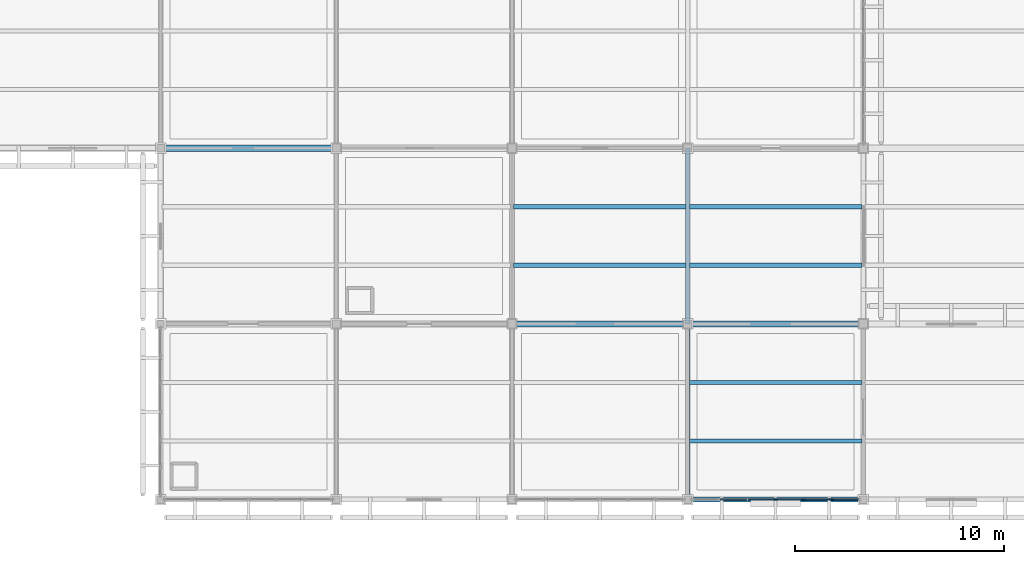
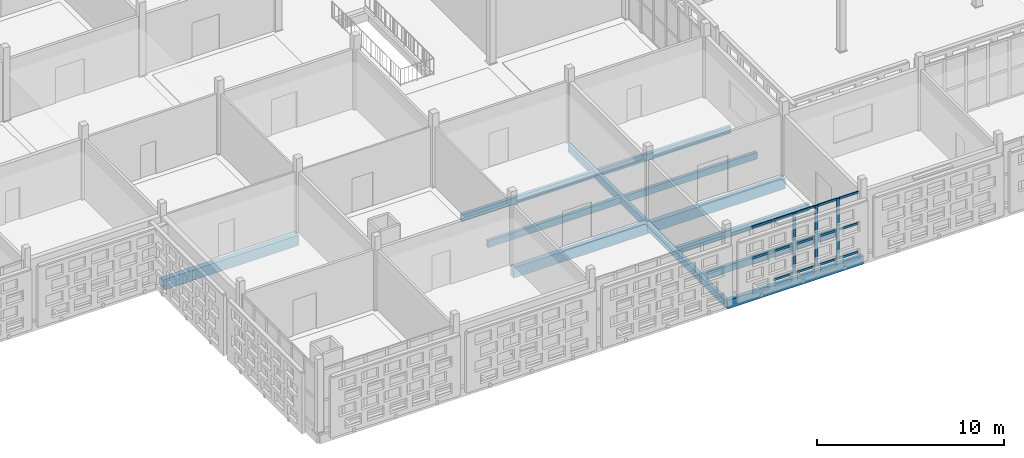
# One storey, part 66 of 203: 17 members, 12 beams, 1 element without a shape of its own.
"""IFC4 building model written with IfcOpenShell, lengths in metres."""

from ifc_helpers import new_model, si_unit, direction, frame, origin, origin_2d, place, context, subcontext, project, spatial, rectangle, extrude, material, layer, layer_set, material_profile, profile_set, type_object, element, aggregate, save


model = new_model("IFC4")

# Units and contexts
model_context = context("Model", 3, precision=1e-05, world=origin(), true_north=direction((0.0, 1.0)))
body_context = subcontext(model_context, "Body", "Model", "MODEL_VIEW")
ifc_project = project(units=[si_unit("LENGTHUNIT", "METRE"), si_unit("AREAUNIT", "SQUARE_METRE"), si_unit("VOLUMEUNIT", "CUBIC_METRE"), si_unit("PLANEANGLEUNIT", "RADIAN"), si_unit("MASSUNIT", "GRAM", prefix="KILO")], contexts=[model_context])

# Site, building, storey
site_placement = place(None, origin())
site = spatial("IfcSite", under=ifc_project, at=site_placement, CompositionType="ELEMENT")
building_placement = place(site_placement, origin())
building = spatial("IfcBuilding", under=site, at=building_placement, Name="Varnapada Polytechnic", CompositionType="ELEMENT")
storey_placement = place(building_placement, frame((0.0, 0.0, 4.800048828125)))
storey = spatial("IfcBuildingStorey", under=building, at=storey_placement, Name="L01", CompositionType="ELEMENT", Elevation=4.800048828125)

# Beams
ifc_material_1 = material(Name="Glulam GL32h", Category="wood")
ifc_material_profile_1 = material_profile(ifc_material_1, rectangle(XDim=0.199951171875, YDim=0.43994140625, at=origin_2d()), Name="GL 200x440")
ifc_profile_set_1 = profile_set([ifc_material_profile_1], Name="Glulam GL32h")
beam_type_1 = type_object("IfcBeamType", Name="Heavy laboratory glulam joist GJ-03 (GL 200x440)", PredefinedType="JOIST", material=ifc_profile_set_1)
for number, where, z_axis, x_axis, name in (
    (1, (142.8798828125, 11.199951171875, -0.469970703125), (1.0, 0.0, 0.0), (0.0, 1.0, 0.0), "L01 floor joist 18/2.1"),
    (2, (142.8798828125, 14.0, -0.469970703125), (1.0, 0.0, 0.0), (0.0, 1.0, 0.0), "L01 floor joist 18/2.2"),
):
    element("IfcBeam", number, at=place(storey_placement, frame(where, z_axis=z_axis, x_axis=x_axis)), inside=storey, type_object=beam_type_1, Name=name, PredefinedType="JOIST", context=body_context, shape_type="SweptSolid", body=[
        extrude(rectangle(XDim=0.199951171875, YDim=0.43994140625, at=origin_2d()), origin(), (0.0, 0.0, 1.0), 8.240234375),
    ])
for number, where, z_axis, x_axis, name in (
    (3, (151.280029296875, 2.800048828125, -0.469970703125), (1.0, 0.0, 0.0), (0.0, 1.0, 0.0), "L01 floor joist 19/1.1"),
    (4, (151.280029296875, 5.60009765625, -0.469970703125), (1.0, 0.0, 0.0), (0.0, 1.0, 0.0), "L01 floor joist 19/1.2"),
    (5, (151.280029296875, 11.199951171875, -0.489990234375), (1.0, 0.0, 0.0), (0.0, 1.0, 0.0), "L01 floor joist 19/2.1"),
    (6, (151.280029296875, 14.0, -0.489990234375), (1.0, 0.0, 0.0), (0.0, 1.0, 0.0), "L01 floor joist 19/2.2"),
):
    element("IfcBeam", number, at=place(storey_placement, frame(where, z_axis=z_axis, x_axis=x_axis)), inside=storey, type_object=beam_type_1, Name=name, PredefinedType="JOIST", context=body_context, shape_type="SweptSolid", body=[
        extrude(rectangle(XDim=0.199951171875, YDim=0.43994140625, at=origin_2d()), origin(), (0.0, 0.0, 1.0), 8.239990234375),
    ])

# Curtain wall, members
ifc_material_2 = material(Name="Double low-E laminated glass", Category="glass")
ifc_layer = layer(ifc_material_2, 0.179931640625)
ifc_layer_set = layer_set([ifc_layer], Name="Double low-E laminated glass")
curtain_wall_type = type_object("IfcCurtainWallType", Name="Curtain Wall CW-04", PredefinedType="NOTDEFINED", material=ifc_layer_set)
curtain_wall_placement = place(storey_placement, origin())
curtain_wall = element("IfcCurtainWall", 7, at=curtain_wall_placement, inside=storey, type_object=curtain_wall_type, Name="L01 unitised curtain wall CW-04 (109)", PredefinedType="NOTDEFINED")
ifc_material_3 = material(Name="Anodised aluminium", Category="aluminium")
ifc_material_profile_2 = material_profile(ifc_material_3, rectangle(XDim=0.06494140625, YDim=0.179931640625, at=origin_2d()), Name="ALU M65x180")
ifc_profile_set_2 = profile_set([ifc_material_profile_2], Name="Anodised aluminium")
member_type_1 = type_object("IfcMemberType", Name="Mullion M-02", PredefinedType="MULLION", material=ifc_profile_set_2)
member_1_placement = place(storey_placement, frame((158.080078125, 0.0, 0.0), z_axis=(0.0, 0.0, 1.0), x_axis=(0.0, -1.0, 0.0)))
member_1 = element("IfcMember", 8, at=member_1_placement, type_object=member_type_1, Name="CW-04 mullion 2", PredefinedType="MULLION", context=body_context, shape_type="SweptSolid", body=[
    extrude(rectangle(XDim=0.06494140625, YDim=0.179931640625, at=origin_2d()), origin(), (0.0, 0.0, 1.0), 3.9599609375),
])
member_2_placement = place(storey_placement, frame((156.739990234375, 0.0, 0.0), z_axis=(0.0, 0.0, 1.0), x_axis=(0.0, -1.0, 0.0)))
member_2 = element("IfcMember", 9, at=member_2_placement, type_object=member_type_1, Name="CW-04 mullion 3", PredefinedType="MULLION", context=body_context, shape_type="SweptSolid", body=[
    extrude(rectangle(XDim=0.06494140625, YDim=0.179931640625, at=origin_2d()), origin(), (0.0, 0.0, 1.0), 3.9599609375),
])
member_3_placement = place(storey_placement, frame((155.39990234375, 0.0, 0.0), z_axis=(0.0, 0.0, 1.0), x_axis=(0.0, -1.0, 0.0)))
member_3 = element("IfcMember", 10, at=member_3_placement, type_object=member_type_1, Name="CW-04 mullion 4", PredefinedType="MULLION", context=body_context, shape_type="SweptSolid", body=[
    extrude(rectangle(XDim=0.06494140625, YDim=0.179931640625, at=origin_2d()), origin(), (0.0, 0.0, 1.0), 3.9599609375),
])

# Beam
ifc_material_profile_3 = material_profile(ifc_material_1, rectangle(XDim=0.239990234375, YDim=0.56005859375, at=origin_2d()), Name="GL 240x560")
ifc_profile_set_3 = profile_set([ifc_material_profile_3], Name="Glulam GL32h")
beam_type_2 = type_object("IfcBeamType", Name="Perimeter glulam spandrel beam SP-02 (GL 240x560)", PredefinedType="SPANDREL", material=ifc_profile_set_3)
beam_1_placement = place(storey_placement, frame((151.199951171875, 0.0, -0.530029296875), z_axis=(1.0, 0.0, 0.0), x_axis=(0.0, 1.0, 0.0)))
element("IfcBeam", 11, at=beam_1_placement, inside=storey, type_object=beam_type_2, Name="L01 beam X 19-20 at Y1", PredefinedType="SPANDREL", context=body_context, shape_type="SweptSolid", body=[
    extrude(rectangle(XDim=0.239990234375, YDim=0.56005859375, at=origin_2d()), origin(), (0.0, 0.0, 1.0), 8.400146484375),
])

# Member
ifc_material_profile_4 = material_profile(ifc_material_3, rectangle(XDim=0.06494140625, YDim=0.139892578125, at=origin_2d()), Name="ALU T65x140")
ifc_profile_set_4 = profile_set([ifc_material_profile_4], Name="Anodised aluminium")
member_type_2 = type_object("IfcMemberType", Name="Transom T-02", PredefinedType="USERDEFINED", material=ifc_profile_set_4)
member_4_placement = place(storey_placement, frame((159.35498046875, 0.0, 0.032470703125), z_axis=(-1.0, 0.0, 0.0), x_axis=(0.0, -1.0, 0.0)))
member_4 = element("IfcMember", 12, at=member_4_placement, type_object=member_type_2, Name="CW-04 transom 1.1", ObjectType="TRANSOM", PredefinedType="USERDEFINED", context=body_context, shape_type="SweptSolid", body=[
    extrude(rectangle(XDim=0.06494140625, YDim=0.139892578125, at=origin_2d()), origin(), (0.0, 0.0, 1.0), 1.242431640625),
])

member_5_placement = place(storey_placement, frame((159.35498046875, 0.0, 1.900634765625), z_axis=(-1.0, 0.0, 0.0), x_axis=(0.0, -1.0, 0.0)))
member_5 = element("IfcMember", 13, at=member_5_placement, type_object=member_type_2, Name="CW-04 transom 1.2", ObjectType="TRANSOM", PredefinedType="USERDEFINED", context=body_context, shape_type="SweptSolid", body=[
    extrude(rectangle(XDim=0.06494140625, YDim=0.139892578125, at=origin_2d()), origin(), (0.0, 0.0, 1.0), 1.242431640625),
])

member_6_placement = place(storey_placement, frame((159.35498046875, 0.0, 3.927490234375), z_axis=(-1.0, 0.0, 0.0), x_axis=(0.0, -1.0, 0.0)))
member_6 = element("IfcMember", 14, at=member_6_placement, type_object=member_type_2, Name="CW-04 transom 1.3", ObjectType="TRANSOM", PredefinedType="USERDEFINED", context=body_context, shape_type="SweptSolid", body=[
    extrude(rectangle(XDim=0.06494140625, YDim=0.139892578125, at=origin_2d()), origin(), (0.0, 0.0, 1.0), 1.242431640625),
])

member_7_placement = place(storey_placement, frame((158.047607421875, 0.0, 0.032470703125), z_axis=(-1.0, 0.0, 0.0), x_axis=(0.0, -1.0, 0.0)))
member_7 = element("IfcMember", 15, at=member_7_placement, type_object=member_type_2, Name="CW-04 transom 2.1", ObjectType="TRANSOM", PredefinedType="USERDEFINED", context=body_context, shape_type="SweptSolid", body=[
    extrude(rectangle(XDim=0.06494140625, YDim=0.139892578125, at=origin_2d()), origin(), (0.0, 0.0, 1.0), 1.275146484375),
])

member_8_placement = place(storey_placement, frame((158.047607421875, 0.0, 1.900634765625), z_axis=(-1.0, 0.0, 0.0), x_axis=(0.0, -1.0, 0.0)))
member_8 = element("IfcMember", 16, at=member_8_placement, type_object=member_type_2, Name="CW-04 transom 2.2", ObjectType="TRANSOM", PredefinedType="USERDEFINED", context=body_context, shape_type="SweptSolid", body=[
    extrude(rectangle(XDim=0.06494140625, YDim=0.139892578125, at=origin_2d()), origin(), (0.0, 0.0, 1.0), 1.275146484375),
])

member_9_placement = place(storey_placement, frame((158.047607421875, 0.0, 3.927490234375), z_axis=(-1.0, 0.0, 0.0), x_axis=(0.0, -1.0, 0.0)))
member_9 = element("IfcMember", 17, at=member_9_placement, type_object=member_type_2, Name="CW-04 transom 2.3", ObjectType="TRANSOM", PredefinedType="USERDEFINED", context=body_context, shape_type="SweptSolid", body=[
    extrude(rectangle(XDim=0.06494140625, YDim=0.139892578125, at=origin_2d()), origin(), (0.0, 0.0, 1.0), 1.275146484375),
])

member_10_placement = place(storey_placement, frame((156.70751953125, 0.0, 0.032470703125), z_axis=(-1.0, 0.0, 0.0), x_axis=(0.0, -1.0, 0.0)))
member_10 = element("IfcMember", 18, at=member_10_placement, type_object=member_type_2, Name="CW-04 transom 3.1", ObjectType="TRANSOM", PredefinedType="USERDEFINED", context=body_context, shape_type="SweptSolid", body=[
    extrude(rectangle(XDim=0.06494140625, YDim=0.139892578125, at=origin_2d()), origin(), (0.0, 0.0, 1.0), 1.27490234375),
])

member_11_placement = place(storey_placement, frame((156.70751953125, 0.0, 1.900634765625), z_axis=(-1.0, 0.0, 0.0), x_axis=(0.0, -1.0, 0.0)))
member_11 = element("IfcMember", 19, at=member_11_placement, type_object=member_type_2, Name="CW-04 transom 3.2", ObjectType="TRANSOM", PredefinedType="USERDEFINED", context=body_context, shape_type="SweptSolid", body=[
    extrude(rectangle(XDim=0.06494140625, YDim=0.139892578125, at=origin_2d()), origin(), (0.0, 0.0, 1.0), 1.27490234375),
])

member_12_placement = place(storey_placement, frame((156.70751953125, 0.0, 3.927490234375), z_axis=(-1.0, 0.0, 0.0), x_axis=(0.0, -1.0, 0.0)))
member_12 = element("IfcMember", 20, at=member_12_placement, type_object=member_type_2, Name="CW-04 transom 3.3", ObjectType="TRANSOM", PredefinedType="USERDEFINED", context=body_context, shape_type="SweptSolid", body=[
    extrude(rectangle(XDim=0.06494140625, YDim=0.139892578125, at=origin_2d()), origin(), (0.0, 0.0, 1.0), 1.27490234375),
])

member_13_placement = place(storey_placement, frame((155.367431640625, 0.0, 0.032470703125), z_axis=(-1.0, 0.0, 0.0), x_axis=(0.0, -1.0, 0.0)))
member_13 = element("IfcMember", 21, at=member_13_placement, type_object=member_type_2, Name="CW-04 transom 4.1", ObjectType="TRANSOM", PredefinedType="USERDEFINED", context=body_context, shape_type="SweptSolid", body=[
    extrude(rectangle(XDim=0.06494140625, YDim=0.139892578125, at=origin_2d()), origin(), (0.0, 0.0, 1.0), 1.27490234375),
])

member_14_placement = place(storey_placement, frame((155.367431640625, 0.0, 1.900634765625), z_axis=(-1.0, 0.0, 0.0), x_axis=(0.0, -1.0, 0.0)))
member_14 = element("IfcMember", 22, at=member_14_placement, type_object=member_type_2, Name="CW-04 transom 4.2", ObjectType="TRANSOM", PredefinedType="USERDEFINED", context=body_context, shape_type="SweptSolid", body=[
    extrude(rectangle(XDim=0.06494140625, YDim=0.139892578125, at=origin_2d()), origin(), (0.0, 0.0, 1.0), 1.27490234375),
])

member_15_placement = place(storey_placement, frame((155.367431640625, 0.0, 3.927490234375), z_axis=(-1.0, 0.0, 0.0), x_axis=(0.0, -1.0, 0.0)))
member_15 = element("IfcMember", 23, at=member_15_placement, type_object=member_type_2, Name="CW-04 transom 4.3", ObjectType="TRANSOM", PredefinedType="USERDEFINED", context=body_context, shape_type="SweptSolid", body=[
    extrude(rectangle(XDim=0.06494140625, YDim=0.139892578125, at=origin_2d()), origin(), (0.0, 0.0, 1.0), 1.27490234375),
])

member_16_placement = place(storey_placement, frame((154.027587890625, 0.0, 1.900634765625), z_axis=(-1.0, 0.0, 0.0), x_axis=(0.0, -1.0, 0.0)))
member_16 = element("IfcMember", 24, at=member_16_placement, type_object=member_type_2, Name="CW-04 transom 5.2", ObjectType="TRANSOM", PredefinedType="USERDEFINED", context=body_context, shape_type="SweptSolid", body=[
    extrude(rectangle(XDim=0.06494140625, YDim=0.139892578125, at=origin_2d()), origin(), (0.0, 0.0, 1.0), 1.275146484375),
])

member_17_placement = place(storey_placement, frame((154.027587890625, 0.0, 3.927490234375), z_axis=(-1.0, 0.0, 0.0), x_axis=(0.0, -1.0, 0.0)))
member_17 = element("IfcMember", 25, at=member_17_placement, type_object=member_type_2, Name="CW-04 transom 5.3", ObjectType="TRANSOM", PredefinedType="USERDEFINED", context=body_context, shape_type="SweptSolid", body=[
    extrude(rectangle(XDim=0.06494140625, YDim=0.139892578125, at=origin_2d()), origin(), (0.0, 0.0, 1.0), 1.275146484375),
])

aggregate(curtain_wall, [member_1, member_2, member_3, member_4, member_5, member_6, member_7, member_8, member_9, member_10, member_11, member_12, member_13, member_14, member_15, member_16, member_17])

# Beams
ifc_material_profile_5 = material_profile(ifc_material_1, rectangle(XDim=0.219970703125, YDim=0.47998046875, at=origin_2d()), Name="GL 220x480")
ifc_profile_set_5 = profile_set([ifc_material_profile_5], Name="Glulam GL32h")
beam_type_3 = type_object("IfcBeamType", Name="Upper floor glulam tie beam GB-11 (GL 220x480)", PredefinedType="BEAM", material=ifc_profile_set_5)
beam_2_placement = place(storey_placement, frame((151.199951171875, 0.0, -0.489990234375), z_axis=(0.0, 1.0, 0.0), x_axis=(-1.0, 0.0, 0.0)))
element("IfcBeam", 26, at=beam_2_placement, inside=storey, type_object=beam_type_3, Name="L01 beam Y 1-2 at X19", PredefinedType="BEAM", context=body_context, shape_type="SweptSolid", body=[
    extrude(rectangle(XDim=0.219970703125, YDim=0.47998046875, at=origin_2d()), origin(), (0.0, 0.0, 1.0), 8.39990234375),
])
beam_3_placement = place(storey_placement, frame((151.199951171875, 8.39990234375, -0.489990234375), z_axis=(0.0, 1.0, 0.0), x_axis=(-1.0, 0.0, 0.0)))
element("IfcBeam", 27, at=beam_3_placement, inside=storey, type_object=beam_type_3, Name="L01 beam Y 2-3 at X19", PredefinedType="BEAM", context=body_context, shape_type="SweptSolid", body=[
    extrude(rectangle(XDim=0.219970703125, YDim=0.47998046875, at=origin_2d()), origin(), (0.0, 0.0, 1.0), 8.400146484375),
])
ifc_material_profile_6 = material_profile(ifc_material_1, rectangle(XDim=0.300048828125, YDim=0.679931640625, at=origin_2d()), Name="GL 300x680")
ifc_profile_set_6 = profile_set([ifc_material_profile_6], Name="Glulam GL32h")
beam_type_4 = type_object("IfcBeamType", Name="Wet laboratory glulam girder GG-04 (GL 300x680)", PredefinedType="BEAM", material=ifc_profile_set_6)
for number, where, z_axis, x_axis, name in (
    (28, (126.0, 16.800048828125, -0.590087890625), (1.0, 0.0, 0.0), (0.0, 1.0, 0.0), "L01 beam X 16-17 at Y3"),
    (29, (142.800048828125, 8.39990234375, -0.590087890625), (1.0, 0.0, 0.0), (0.0, 1.0, 0.0), "L01 beam X 18-19 at Y2"),
):
    element("IfcBeam", number, at=place(storey_placement, frame(where, z_axis=z_axis, x_axis=x_axis)), inside=storey, type_object=beam_type_4, Name=name, PredefinedType="BEAM", context=body_context, shape_type="SweptSolid", body=[
        extrude(rectangle(XDim=0.300048828125, YDim=0.679931640625, at=origin_2d()), origin(), (0.0, 0.0, 1.0), 8.39990234375),
    ])
beam_4_placement = place(storey_placement, frame((151.199951171875, 8.39990234375, -0.610107421875), z_axis=(1.0, 0.0, 0.0), x_axis=(0.0, 1.0, 0.0)))
element("IfcBeam", 30, at=beam_4_placement, inside=storey, type_object=beam_type_4, Name="L01 beam X 19-20 at Y2", PredefinedType="BEAM", context=body_context, shape_type="SweptSolid", body=[
    extrude(rectangle(XDim=0.300048828125, YDim=0.679931640625, at=origin_2d()), origin(), (0.0, 0.0, 1.0), 8.400146484375),
])

save(model, "model.ifc")
